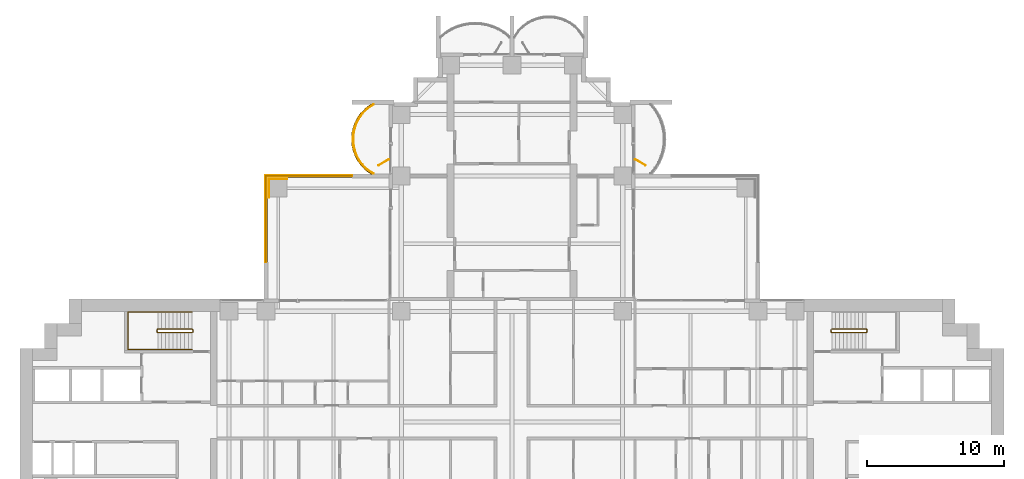
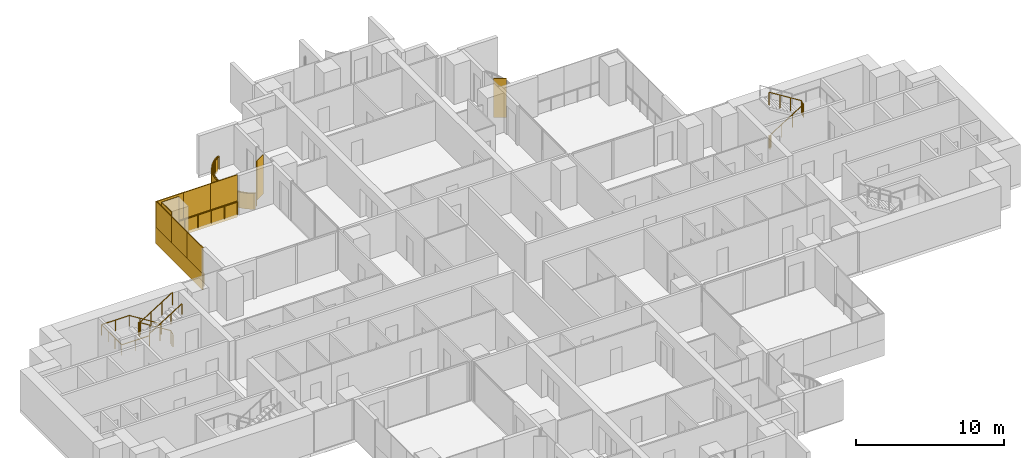
# One storey, part 19 of 21: 10 coverings, 5 railings, 2 shading devices.
"""IFC4 building model written with IfcOpenShell, lengths in metres."""

from ifc_helpers import new_model, si_unit, direction, frame, origin, origin_2d, place, context, subcontext, project, spatial, polyline, rectangle, outline, extrude, material, layer, layer_set, type_object, element, save


model = new_model("IFC4")

# Units and contexts
model_context = context("Model", 3, precision=1e-05, world=origin(), true_north=direction((0.0, 1.0)))
body_context = subcontext(model_context, "Body", "Model", "MODEL_VIEW")
ifc_project = project(units=[si_unit("LENGTHUNIT", "METRE"), si_unit("AREAUNIT", "SQUARE_METRE"), si_unit("VOLUMEUNIT", "CUBIC_METRE"), si_unit("PLANEANGLEUNIT", "RADIAN"), si_unit("MASSUNIT", "GRAM", prefix="KILO")], contexts=[model_context])

# Site, building, storey
site_placement = place(None, origin())
site = spatial("IfcSite", under=ifc_project, at=site_placement, CompositionType="ELEMENT")
building_placement = place(site_placement, origin())
building = spatial("IfcBuilding", under=site, at=building_placement, Name="Perihelion Cross Residences", CompositionType="ELEMENT")
storey_placement = place(building_placement, frame((0.0, 0.0, 54.0)))
storey = spatial("IfcBuildingStorey", under=building, at=storey_placement, Name="L10", CompositionType="ELEMENT", Elevation=54.0)

# Covering
ifc_material_1 = material(Name="Bronze anodised aluminium", Category="aluminium")
ifc_layer_1 = layer(ifc_material_1, 0.070068359375)
ifc_layer_set_1 = layer_set([ifc_layer_1], Name="Balcony fascia 1300")
covering_type_1 = type_object("IfcCoveringType", Name="Balcony fascia 1300", PredefinedType="CLADDING", material=ifc_layer_set_1)
covering_1_placement = place(storey_placement, frame((0.0, 0.0, -0.199951171875)))
element("IfcCovering", 1, at=covering_1_placement, inside=storey, type_object=covering_type_1, Name="Fascia BF1 L10 north side west bay 1", PredefinedType="CLADDING", context=body_context, shape_type="SweptSolid", body=[
    extrude(outline(polyline([(-10.722412109375, 22.963134765625), (-11.060791015625, 22.61474609375), (-11.308837890625, 22.2666015625), (-11.4912109375, 21.91845703125), (-11.620361328125, 21.5703125), (-11.703369140625, 21.22216796875), (-11.743896484375, 20.8740234375), (-11.743896484375, 20.52587890625), (-11.703369140625, 20.177734375), (-11.620361328125, 19.82958984375), (-11.4912109375, 19.4814453125), (-11.308837890625, 19.13330078125), (-11.060791015625, 18.78515625), (-10.722412109375, 18.43701171875), (-10.320556640625, 18.14990234375), (-10.199951171875, 18.14990234375), (-10.6767578125, 18.489990234375), (-11.007080078125, 18.830078125), (-11.2490234375, 19.169921875), (-11.42724609375, 19.510009765625), (-11.553466796875, 19.85009765625), (-11.63427734375, 20.18994140625), (-11.674072265625, 20.530029296875), (-11.674072265625, 20.8701171875), (-11.63427734375, 21.2099609375), (-11.553466796875, 21.550048828125), (-11.42724609375, 21.889892578125), (-11.2490234375, 22.22998046875), (-11.007080078125, 22.570068359375), (-10.6767578125, 22.909912109375), (-10.199951171875, 23.25), (-10.320556640625, 23.25), (-10.722412109375, 22.963134765625)])), origin(), (0.0, 0.0, 1.0), 1.300048828125),
])

# Railings
ifc_material_2 = material(Name="Bronze anodised aluminium", Category="aluminium")
railing_type_1 = type_object("IfcRailingType", Name="Balcony guard 1100", PredefinedType="GUARDRAIL", material=ifc_material_2)
railing_1_placement = place(storey_placement, frame((-10.139892578125, 23.22509765625, 0.0)))
element("IfcRailing", 2, at=railing_1_placement, inside=storey, type_object=railing_type_1, Name="Guard GU1 L10 north side west bay 1 balcony", PredefinedType="GUARDRAIL", context=body_context, shape_type="SweptSolid", body=[
    extrude(rectangle(XDim=0.048095703125, YDim=0.048095703125, at=origin_2d()), frame((0.0, 0.0, 1.076171875), z_axis=(-0.834212513801, -0.55144309028, 0.0), x_axis=(0.55144309028, -0.834212513801, 0.0)), (0.0, 0.0, 1.0), 0.571533203125),
    extrude(rectangle(XDim=0.048095703125, YDim=0.048095703125, at=origin_2d()), frame((-0.476806640625, -0.315185546875, 1.076171875), z_axis=(-0.696990112603, -0.717080736691, 0.0), x_axis=(0.717080736691, -0.696990112603, 0.0)), (0.0, 0.0, 1.0), 0.473876953125),
    extrude(rectangle(XDim=0.048095703125, YDim=0.048095703125, at=origin_2d()), frame((-0.80712890625, -0.655029296875, 1.076171875), z_axis=(-0.580075995532, -0.814562360662, 0.0), x_axis=(0.814562360662, -0.580075995532, 0.0)), (0.0, 0.0, 1.0), 0.41748046875),
    extrude(rectangle(XDim=0.048095703125, YDim=0.048095703125, at=origin_2d()), frame((-1.04931640625, -0.9951171875, 1.076171875), z_axis=(-0.463674228502, -0.886005761733, 0.0), x_axis=(0.886005761733, -0.463674228502, 0.0)), (0.0, 0.0, 1.0), 0.3837890625),
    extrude(rectangle(XDim=0.048095703125, YDim=0.048095703125, at=origin_2d()), frame((-1.227294921875, -1.335205078125, 1.076171875), z_axis=(-0.348169621027, -0.937431552165, 0.0), x_axis=(0.937431552165, -0.348169621027, 0.0)), (0.0, 0.0, 1.0), 0.362548828125),
    extrude(rectangle(XDim=0.048095703125, YDim=0.048095703125, at=origin_2d()), frame((-1.353515625, -1.675048828125, 1.076171875), z_axis=(-0.231840805498, -0.972753741142, 0.0), x_axis=(0.972753741142, -0.231840805498, 0.0)), (0.0, 0.0, 1.0), 0.349609375),
    extrude(rectangle(XDim=0.048095703125, YDim=0.048095703125, at=origin_2d()), frame((-1.4345703125, -2.01513671875, 1.076171875), z_axis=(-0.11559909788, -0.993295952156, 0.0), x_axis=(0.993295952156, -0.11559909788, 0.0)), (0.0, 0.0, 1.0), 0.342041015625),
    extrude(rectangle(XDim=0.048095703125, YDim=0.048095703125, at=origin_2d()), frame((-1.47412109375, -2.35498046875, 1.076171875), z_axis=(0.0, -1.0, 0.0), x_axis=(1.0, 0.0, 0.0)), (0.0, 0.0, 1.0), 0.340087890625),
    extrude(rectangle(XDim=0.048095703125, YDim=0.048095703125, at=origin_2d()), frame((-1.47412109375, -2.695068359375, 1.076171875), z_axis=(0.11551721994, -0.993305477634, 0.0), x_axis=(0.993305477634, 0.11551721994, 0.0)), (0.0, 0.0, 1.0), 0.34228515625),
    extrude(rectangle(XDim=0.048095703125, YDim=0.048095703125, at=origin_2d()), frame((-1.4345703125, -3.03515625, 1.076171875), z_axis=(0.231998396458, -0.972716168284, 0.0), x_axis=(0.972716168284, 0.231998396458, 0.0)), (0.0, 0.0, 1.0), 0.349365234375),
    extrude(rectangle(XDim=0.048095703125, YDim=0.048095703125, at=origin_2d()), frame((-1.353515625, -3.375, 1.076171875), z_axis=(0.347949948587, -0.93751311099, 0.0), x_axis=(0.93751311099, 0.347949948587, 0.0)), (0.0, 0.0, 1.0), 0.36279296875),
    extrude(rectangle(XDim=0.048095703125, YDim=0.048095703125, at=origin_2d()), frame((-1.227294921875, -3.715087890625, 1.076171875), z_axis=(0.463674228502, -0.886005761733, 0.0), x_axis=(0.886005761733, 0.463674228502, 0.0)), (0.0, 0.0, 1.0), 0.3837890625),
    extrude(rectangle(XDim=0.048095703125, YDim=0.048095703125, at=origin_2d()), frame((-1.04931640625, -4.05517578125, 1.076171875), z_axis=(0.580352394782, -0.814365457194, 0.0), x_axis=(0.814365457194, 0.580352394782, 0.0)), (0.0, 0.0, 1.0), 0.417236328125),
    extrude(rectangle(XDim=0.048095703125, YDim=0.048095703125, at=origin_2d()), frame((-0.80712890625, -4.39501953125, 1.076171875), z_axis=(0.69673269466, -0.717330852669, 0.0), x_axis=(0.717330852669, 0.69673269466, 0.0)), (0.0, 0.0, 1.0), 0.47412109375),
    extrude(rectangle(XDim=0.048095703125, YDim=0.048095703125, at=origin_2d()), frame((-0.476806640625, -4.735107421875, 1.076171875), z_axis=(0.834409002258, -0.551145731138, 0.0), x_axis=(0.551145731138, 0.834409002258, 0.0)), (0.0, 0.0, 1.0), 0.571533203125),
    extrude(rectangle(XDim=0.0419921875, YDim=0.0419921875, at=origin_2d()), origin(), (0.0, 0.0, 1.0), 1.052001953125),
    extrude(rectangle(XDim=0.0419921875, YDim=0.0419921875, at=origin_2d()), frame((-0.476806640625, -0.315185546875, 0.0)), (0.0, 0.0, 1.0), 1.052001953125),
    extrude(rectangle(XDim=0.0419921875, YDim=0.0419921875, at=origin_2d()), frame((-0.80712890625, -0.655029296875, 0.0)), (0.0, 0.0, 1.0), 1.052001953125),
    extrude(rectangle(XDim=0.0419921875, YDim=0.0419921875, at=origin_2d()), frame((-1.04931640625, -0.9951171875, 0.0)), (0.0, 0.0, 1.0), 1.052001953125),
    extrude(rectangle(XDim=0.0419921875, YDim=0.0419921875, at=origin_2d()), frame((-1.227294921875, -1.335205078125, 0.0)), (0.0, 0.0, 1.0), 1.052001953125),
    extrude(rectangle(XDim=0.0419921875, YDim=0.0419921875, at=origin_2d()), frame((-1.353515625, -1.675048828125, 0.0)), (0.0, 0.0, 1.0), 1.052001953125),
    extrude(rectangle(XDim=0.0419921875, YDim=0.0419921875, at=origin_2d()), frame((-1.4345703125, -2.01513671875, 0.0)), (0.0, 0.0, 1.0), 1.052001953125),
    extrude(rectangle(XDim=0.0419921875, YDim=0.0419921875, at=origin_2d()), frame((-1.47412109375, -2.35498046875, 0.0)), (0.0, 0.0, 1.0), 1.052001953125),
    extrude(rectangle(XDim=0.0419921875, YDim=0.0419921875, at=origin_2d()), frame((-1.47412109375, -2.695068359375, 0.0)), (0.0, 0.0, 1.0), 1.052001953125),
    extrude(rectangle(XDim=0.0419921875, YDim=0.0419921875, at=origin_2d()), frame((-1.4345703125, -3.03515625, 0.0)), (0.0, 0.0, 1.0), 1.052001953125),
    extrude(rectangle(XDim=0.0419921875, YDim=0.0419921875, at=origin_2d()), frame((-1.353515625, -3.375, 0.0)), (0.0, 0.0, 1.0), 1.052001953125),
    extrude(rectangle(XDim=0.0419921875, YDim=0.0419921875, at=origin_2d()), frame((-1.227294921875, -3.715087890625, 0.0)), (0.0, 0.0, 1.0), 1.052001953125),
    extrude(rectangle(XDim=0.0419921875, YDim=0.0419921875, at=origin_2d()), frame((-1.04931640625, -4.05517578125, 0.0)), (0.0, 0.0, 1.0), 1.052001953125),
    extrude(rectangle(XDim=0.0419921875, YDim=0.0419921875, at=origin_2d()), frame((-0.80712890625, -4.39501953125, 0.0)), (0.0, 0.0, 1.0), 1.052001953125),
    extrude(rectangle(XDim=0.0419921875, YDim=0.0419921875, at=origin_2d()), frame((-0.476806640625, -4.735107421875, 0.0)), (0.0, 0.0, 1.0), 1.052001953125),
    extrude(rectangle(XDim=0.0419921875, YDim=0.0419921875, at=origin_2d()), frame((0.0, -5.050048828125, 0.0)), (0.0, 0.0, 1.0), 1.052001953125),
])
railing_2_placement = place(storey_placement, frame((-17.93994140625, 11.739990234375, 0.0)))
element("IfcRailing", 3, at=railing_2_placement, inside=storey, type_object=railing_type_1, Name="Guard GU1 L10 pocket north-west 1", PredefinedType="GUARDRAIL", context=body_context, shape_type="SweptSolid", body=[
    extrude(rectangle(XDim=0.048095703125, YDim=0.048095703125, at=origin_2d()), frame((0.0, 0.0, 1.076171875), z_axis=(0.0, 1.0, 0.0), x_axis=(-1.0, 0.0, 0.0)), (0.0, 0.0, 1.0), 6.199951171875),
    extrude(rectangle(XDim=0.048095703125, YDim=0.048095703125, at=origin_2d()), frame((0.0, 6.199951171875, 1.076171875), z_axis=(1.0, 0.0, 0.0), x_axis=(0.0, 1.0, 0.0)), (0.0, 0.0, 1.0), 6.199951171875),
    extrude(rectangle(XDim=0.0419921875, YDim=0.0419921875, at=origin_2d()), origin(), (0.0, 0.0, 1.0), 1.052001953125),
    extrude(rectangle(XDim=0.0419921875, YDim=0.0419921875, at=origin_2d()), frame((0.0, 1.033203125, 0.0)), (0.0, 0.0, 1.0), 1.052001953125),
    extrude(rectangle(XDim=0.0419921875, YDim=0.0419921875, at=origin_2d()), frame((0.0, 2.066650390625, 0.0)), (0.0, 0.0, 1.0), 1.052001953125),
    extrude(rectangle(XDim=0.0419921875, YDim=0.0419921875, at=origin_2d()), frame((0.0, 3.10009765625, 0.0)), (0.0, 0.0, 1.0), 1.052001953125),
    extrude(rectangle(XDim=0.0419921875, YDim=0.0419921875, at=origin_2d()), frame((0.0, 4.13330078125, 0.0)), (0.0, 0.0, 1.0), 1.052001953125),
    extrude(rectangle(XDim=0.0419921875, YDim=0.0419921875, at=origin_2d()), frame((0.0, 5.16650390625, 0.0)), (0.0, 0.0, 1.0), 1.052001953125),
    extrude(rectangle(XDim=0.0419921875, YDim=0.0419921875, at=origin_2d()), frame((0.0, 6.199951171875, 0.0)), (0.0, 0.0, 1.0), 1.052001953125),
    extrude(rectangle(XDim=0.0419921875, YDim=0.0419921875, at=origin_2d()), frame((1.033203125, 6.199951171875, 0.0)), (0.0, 0.0, 1.0), 1.052001953125),
    extrude(rectangle(XDim=0.0419921875, YDim=0.0419921875, at=origin_2d()), frame((2.066650390625, 6.199951171875, 0.0)), (0.0, 0.0, 1.0), 1.052001953125),
    extrude(rectangle(XDim=0.0419921875, YDim=0.0419921875, at=origin_2d()), frame((3.10009765625, 6.199951171875, 0.0)), (0.0, 0.0, 1.0), 1.052001953125),
    extrude(rectangle(XDim=0.0419921875, YDim=0.0419921875, at=origin_2d()), frame((4.13330078125, 6.199951171875, 0.0)), (0.0, 0.0, 1.0), 1.052001953125),
    extrude(rectangle(XDim=0.0419921875, YDim=0.0419921875, at=origin_2d()), frame((5.16650390625, 6.199951171875, 0.0)), (0.0, 0.0, 1.0), 1.052001953125),
    extrude(rectangle(XDim=0.0419921875, YDim=0.0419921875, at=origin_2d()), frame((6.199951171875, 6.199951171875, 0.0)), (0.0, 0.0, 1.0), 1.052001953125),
])

# Coverings
ifc_material_3 = material(Name="Bronze anodised aluminium", Category="aluminium")
ifc_layer_2 = layer(ifc_material_3, 0.0400390625)
ifc_layer_set_2 = layer_set([ifc_layer_2], Name="Bronze column casing 40")
covering_type_2 = type_object("IfcCoveringType", Name="Bronze column casing 40", PredefinedType="CLADDING", material=ifc_layer_set_2)
covering_2_placement = place(storey_placement, frame((-17.77001953125, 17.10009765625, -0.25), z_axis=(0.0, 0.0, 1.0), x_axis=(1.0, 0.0, 0.0)))
element("IfcCovering", 4, at=covering_2_placement, inside=storey, type_object=covering_type_2, Name="Cladding CC1 L10 casing east-west no. 2", PredefinedType="CLADDING", context=body_context, shape_type="SweptSolid", body=[
    extrude(rectangle(XDim=0.0400390625, YDim=1.3798828125, at=origin_2d()), origin(), (0.0, 0.0, 1.0), 3.5),
])
covering_3_placement = place(storey_placement, frame((-17.10009765625, 17.77001953125, -0.25), z_axis=(0.0, 0.0, 1.0), x_axis=(1.0, 0.0, 0.0)))
element("IfcCovering", 5, at=covering_3_placement, inside=storey, type_object=covering_type_2, Name="Cladding CC1 L10 casing north-south no. 2", PredefinedType="CLADDING", context=body_context, shape_type="SweptSolid", body=[
    extrude(rectangle(XDim=1.300048828125, YDim=0.0400390625, at=origin_2d()), origin(), (0.0, 0.0, 1.0), 3.5),
])

# Shading devices
ifc_material_4 = material(Name="Bronze anodised aluminium", Category="aluminium")
ifc_layer_3 = layer(ifc_material_4, 0.050048828125)
ifc_layer_set_3 = layer_set([ifc_layer_3], Name="Bronze fin 900")
shading_device_type = type_object("IfcShadingDeviceType", Name="Bronze fin 900", PredefinedType="USERDEFINED", material=ifc_layer_set_3)
for number, where, z_axis, x_axis, name in (
    (6, (9.3896484375, 19.0, 0.0), (0.0, 0.0, 1.0), (0.866025403784, -0.5, 0.0), "Fin FN1 L10 north side east bay 2"),
    (7, (-9.3896484375, 19.0, 0.0), (0.0, 0.0, 1.0), (-0.866025403784, -0.5, 0.0), "Fin FN1 L10 north side west bay 1"),
):
    element("IfcShadingDevice", number, at=place(storey_placement, frame(where, z_axis=z_axis, x_axis=x_axis)), inside=storey, type_object=shading_device_type, Name=name, ObjectType="FIN", PredefinedType="USERDEFINED", context=body_context, shape_type="SweptSolid", body=[
        extrude(rectangle(XDim=0.89990234375, YDim=0.050048828125, at=origin_2d()), origin(), (0.0, 0.0, 1.0), 3.25),
    ])

# Coverings
ifc_material_5 = material(Name="Bronze anodised aluminium", Category="aluminium")
ifc_layer_4 = layer(ifc_material_5, 0.070068359375)
ifc_layer_set_4 = layer_set([ifc_layer_4], Name="Pocket fascia 1350")
covering_type_3 = type_object("IfcCoveringType", Name="Pocket fascia 1350", PredefinedType="CLADDING", material=ifc_layer_set_4)
covering_4_placement = place(storey_placement, frame((0.0, 0.0, -0.25)))
element("IfcCovering", 8, at=covering_4_placement, inside=storey, type_object=covering_type_3, Name="Fascia BF2 L10 pocket north-west 3", PredefinedType="CLADDING", context=body_context, shape_type="SweptSolid", body=[
    extrude(outline(polyline([(-18.070068359375, 18.070068359375), (-18.070068359375, 11.699951171875), (-18.0, 11.699951171875), (-18.0, 18.0), (-11.699951171875, 18.0), (-11.699951171875, 18.070068359375), (-18.070068359375, 18.070068359375)])), origin(), (0.0, 0.0, 1.0), 1.35009765625),
])
ifc_material_6 = material(Name="Bronze perforated aluminium", Category="aluminium")
ifc_layer_5 = layer(ifc_material_6, 0.070068359375)
ifc_layer_set_5 = layer_set([ifc_layer_5], Name="Pocket solar screen, bronze perforated")
covering_type_4 = type_object("IfcCoveringType", Name="Pocket solar screen, bronze perforated", PredefinedType="CLADDING", material=ifc_layer_set_5)
covering_5_placement = place(storey_placement, frame((0.0, 0.0, 1.10009765625)))
element("IfcCovering", 9, at=covering_5_placement, inside=storey, type_object=covering_type_4, Name="Solar screen PS1 L10 pocket north-west no. 1", PredefinedType="CLADDING", context=body_context, shape_type="SweptSolid", body=[
    extrude(outline(polyline([(-18.0, 11.699951171875), (-18.0, 13.800048828125), (-18.070068359375, 13.800048828125), (-18.070068359375, 11.699951171875), (-18.0, 11.699951171875)])), origin(), (0.0, 0.0, 1.0), 2.14990234375),
])
covering_6_placement = place(storey_placement, frame((0.0, 0.0, 1.10009765625)))
element("IfcCovering", 10, at=covering_6_placement, inside=storey, type_object=covering_type_4, Name="Solar screen PS1 L10 pocket north-west no. 2", PredefinedType="CLADDING", context=body_context, shape_type="SweptSolid", body=[
    extrude(outline(polyline([(-18.0, 13.800048828125), (-18.0, 15.89990234375), (-18.070068359375, 15.89990234375), (-18.070068359375, 13.800048828125), (-18.0, 13.800048828125)])), origin(), (0.0, 0.0, 1.0), 2.14990234375),
])
covering_7_placement = place(storey_placement, frame((0.0, 0.0, 1.10009765625)))
element("IfcCovering", 11, at=covering_7_placement, inside=storey, type_object=covering_type_4, Name="Solar screen PS1 L10 pocket north-west no. 3", PredefinedType="CLADDING", context=body_context, shape_type="SweptSolid", body=[
    extrude(outline(polyline([(-18.0, 15.89990234375), (-18.0, 18.0), (-18.070068359375, 18.0), (-18.070068359375, 15.89990234375), (-18.0, 15.89990234375)])), origin(), (0.0, 0.0, 1.0), 2.14990234375),
])
covering_8_placement = place(storey_placement, frame((0.0, 0.0, 1.10009765625)))
element("IfcCovering", 12, at=covering_8_placement, inside=storey, type_object=covering_type_4, Name="Solar screen PS1 L10 pocket north-west no. 4", PredefinedType="CLADDING", context=body_context, shape_type="SweptSolid", body=[
    extrude(outline(polyline([(-15.94677734375, 18.0), (-15.94677734375, 18.070068359375), (-18.070068359375, 18.070068359375), (-18.070068359375, 18.0), (-15.94677734375, 18.0)])), origin(), (0.0, 0.0, 1.0), 2.14990234375),
])
covering_9_placement = place(storey_placement, frame((0.0, 0.0, 1.10009765625)))
element("IfcCovering", 13, at=covering_9_placement, inside=storey, type_object=covering_type_4, Name="Solar screen PS1 L10 pocket north-west no. 5", PredefinedType="CLADDING", context=body_context, shape_type="SweptSolid", body=[
    extrude(outline(polyline([(-13.8232421875, 18.0), (-13.8232421875, 18.070068359375), (-15.94677734375, 18.070068359375), (-15.94677734375, 18.0), (-13.8232421875, 18.0)])), origin(), (0.0, 0.0, 1.0), 2.14990234375),
])
covering_10_placement = place(storey_placement, frame((0.0, 0.0, 1.10009765625)))
element("IfcCovering", 14, at=covering_10_placement, inside=storey, type_object=covering_type_4, Name="Solar screen PS1 L10 pocket north-west no. 6", PredefinedType="CLADDING", context=body_context, shape_type="SweptSolid", body=[
    extrude(outline(polyline([(-11.699951171875, 18.0), (-11.699951171875, 18.070068359375), (-13.8232421875, 18.070068359375), (-13.8232421875, 18.0), (-11.699951171875, 18.0)])), origin(), (0.0, 0.0, 1.0), 2.14990234375),
])

# Railings
ifc_material_7 = material(Name="Stainless steel", Category="steel")
railing_type_2 = type_object("IfcRailingType", Name="Stair guard 1100", PredefinedType="GUARDRAIL", material=ifc_material_7)
railing_3_placement = place(storey_placement, frame((23.35009765625, 6.75, 0.0)))
element("IfcRailing", 15, at=railing_3_placement, inside=storey, type_object=railing_type_2, Name="L10 ST-E1 stair guard 1", PredefinedType="GUARDRAIL", context=body_context, shape_type="SweptSolid", body=[
    extrude(rectangle(XDim=0.048095703125, YDim=0.048095703125, at=origin_2d()), frame((0.0, 0.0, 1.076171875), z_axis=(0.0, -1.0, 0.0), x_axis=(1.0, 0.0, 0.0)), (0.0, 0.0, 1.0), 0.14990234375),
    extrude(rectangle(XDim=0.048095703125, YDim=0.048095703125, at=origin_2d()), frame((0.0, -0.14990234375, 1.076171875), z_axis=(0.263862480399, -0.265155923931, 0.927399011991), x_axis=(0.708833529934, 0.705375805398, 0.0)), (0.0, 0.0, 1.0), 0.188720703125),
    extrude(rectangle(XDim=0.048095703125, YDim=0.048095703125, at=origin_2d()), frame((0.0498046875, -0.199951171875, 1.2509765625), z_axis=(0.848007534815, 0.0, 0.529984170421), x_axis=(0.0, 1.0, 0.0)), (0.0, 0.0, 1.0), 2.9716796875),
    extrude(rectangle(XDim=0.048095703125, YDim=0.048095703125, at=origin_2d()), frame((2.56982421875, -0.199951171875, 2.826171875), z_axis=(0.707106781187, 0.707106781187, 0.0), x_axis=(-0.707106781187, 0.707106781187, 0.0)), (0.0, 0.0, 1.0), 0.07080078125),
    extrude(rectangle(XDim=0.048095703125, YDim=0.048095703125, at=origin_2d()), frame((2.619873046875, -0.14990234375, 2.826171875), z_axis=(0.0, 1.0, 0.0), x_axis=(-1.0, 0.0, 0.0)), (0.0, 0.0, 1.0), 0.14990234375),
    extrude(rectangle(XDim=0.048095703125, YDim=0.048095703125, at=origin_2d()), frame((2.619873046875, 0.0, 2.826171875), z_axis=(-0.265065253269, 0.265065253269, 0.927081885822), x_axis=(-0.707106781187, -0.707106781187, 0.0)), (0.0, 0.0, 1.0), 0.188720703125),
    extrude(rectangle(XDim=0.048095703125, YDim=0.048095703125, at=origin_2d()), frame((2.56982421875, 0.050048828125, 3.0009765625), z_axis=(-0.848007534815, 0.0, 0.529984170421), x_axis=(0.0, -1.0, 0.0)), (0.0, 0.0, 1.0), 2.9716796875),
    extrude(rectangle(XDim=0.0419921875, YDim=0.0419921875, at=origin_2d()), origin(), (0.0, 0.0, 1.0), 1.052001953125),
    extrude(rectangle(XDim=0.0419921875, YDim=0.0419921875, at=origin_2d()), frame((0.0, -0.14990234375, 0.0)), (0.0, 0.0, 1.0), 1.052001953125),
    extrude(rectangle(XDim=0.0419921875, YDim=0.0419921875, at=origin_2d()), frame((0.0498046875, -0.199951171875, 0.175048828125)), (0.0, 0.0, 1.0), 1.052001953125),
    extrude(rectangle(XDim=0.0419921875, YDim=0.0419921875, at=origin_2d()), frame((0.889892578125, -0.199951171875, 0.699951171875)), (0.0, 0.0, 1.0), 1.052001953125),
    extrude(rectangle(XDim=0.0419921875, YDim=0.0419921875, at=origin_2d()), frame((1.729736328125, -0.199951171875, 1.22509765625)), (0.0, 0.0, 1.0), 1.052001953125),
    extrude(rectangle(XDim=0.0419921875, YDim=0.0419921875, at=origin_2d()), frame((2.56982421875, -0.199951171875, 1.75)), (0.0, 0.0, 1.0), 1.052001953125),
    extrude(rectangle(XDim=0.0419921875, YDim=0.0419921875, at=origin_2d()), frame((2.619873046875, -0.14990234375, 1.75)), (0.0, 0.0, 1.0), 1.052001953125),
    extrude(rectangle(XDim=0.0419921875, YDim=0.0419921875, at=origin_2d()), frame((2.619873046875, 0.0, 1.75)), (0.0, 0.0, 1.0), 1.052001953125),
    extrude(rectangle(XDim=0.0419921875, YDim=0.0419921875, at=origin_2d()), frame((2.56982421875, 0.050048828125, 1.925048828125)), (0.0, 0.0, 1.0), 1.052001953125),
    extrude(rectangle(XDim=0.0419921875, YDim=0.0419921875, at=origin_2d()), frame((1.729736328125, 0.050048828125, 2.449951171875)), (0.0, 0.0, 1.0), 1.052001953125),
    extrude(rectangle(XDim=0.0419921875, YDim=0.0419921875, at=origin_2d()), frame((0.889892578125, 0.050048828125, 2.97509765625)), (0.0, 0.0, 1.0), 1.052001953125),
    extrude(rectangle(XDim=0.0419921875, YDim=0.0419921875, at=origin_2d()), frame((0.0498046875, 0.050048828125, 3.5)), (0.0, 0.0, 1.0), 1.052001953125),
])
railing_4_placement = place(storey_placement, frame((-23.35009765625, 6.60009765625, 0.0)))
element("IfcRailing", 16, at=railing_4_placement, inside=storey, type_object=railing_type_2, Name="L10 ST-W1 stair guard 1", PredefinedType="GUARDRAIL", context=body_context, shape_type="SweptSolid", body=[
    extrude(rectangle(XDim=0.048095703125, YDim=0.048095703125, at=origin_2d()), frame((0.0, 0.0, 1.076171875), z_axis=(0.0, 1.0, 0.0), x_axis=(-1.0, 0.0, 0.0)), (0.0, 0.0, 1.0), 0.14990234375),
    extrude(rectangle(XDim=0.048095703125, YDim=0.048095703125, at=origin_2d()), frame((0.0, 0.14990234375, 1.076171875), z_axis=(-0.263862480399, 0.265155923931, 0.927399011991), x_axis=(-0.708833529934, -0.705375805398, 0.0)), (0.0, 0.0, 1.0), 0.188720703125),
    extrude(rectangle(XDim=0.048095703125, YDim=0.048095703125, at=origin_2d()), frame((-0.0498046875, 0.199951171875, 1.2509765625), z_axis=(-0.848007534815, 0.0, 0.529984170421), x_axis=(0.0, -1.0, 0.0)), (0.0, 0.0, 1.0), 2.9716796875),
    extrude(rectangle(XDim=0.048095703125, YDim=0.048095703125, at=origin_2d()), frame((-2.56982421875, 0.199951171875, 2.826171875), z_axis=(-0.707106781187, -0.707106781187, 0.0), x_axis=(0.707106781187, -0.707106781187, 0.0)), (0.0, 0.0, 1.0), 0.07080078125),
    extrude(rectangle(XDim=0.048095703125, YDim=0.048095703125, at=origin_2d()), frame((-2.619873046875, 0.14990234375, 2.826171875), z_axis=(0.0, -1.0, 0.0), x_axis=(1.0, 0.0, 0.0)), (0.0, 0.0, 1.0), 0.14990234375),
    extrude(rectangle(XDim=0.048095703125, YDim=0.048095703125, at=origin_2d()), frame((-2.619873046875, 0.0, 2.826171875), z_axis=(0.265065253269, -0.265065253269, 0.927081885822), x_axis=(0.707106781187, 0.707106781187, 0.0)), (0.0, 0.0, 1.0), 0.188720703125),
    extrude(rectangle(XDim=0.048095703125, YDim=0.048095703125, at=origin_2d()), frame((-2.56982421875, -0.050048828125, 3.0009765625), z_axis=(0.848007534815, 0.0, 0.529984170421), x_axis=(0.0, 1.0, 0.0)), (0.0, 0.0, 1.0), 2.9716796875),
    extrude(rectangle(XDim=0.0419921875, YDim=0.0419921875, at=origin_2d()), origin(), (0.0, 0.0, 1.0), 1.052001953125),
    extrude(rectangle(XDim=0.0419921875, YDim=0.0419921875, at=origin_2d()), frame((0.0, 0.14990234375, 0.0)), (0.0, 0.0, 1.0), 1.052001953125),
    extrude(rectangle(XDim=0.0419921875, YDim=0.0419921875, at=origin_2d()), frame((-0.0498046875, 0.199951171875, 0.175048828125)), (0.0, 0.0, 1.0), 1.052001953125),
    extrude(rectangle(XDim=0.0419921875, YDim=0.0419921875, at=origin_2d()), frame((-0.889892578125, 0.199951171875, 0.699951171875)), (0.0, 0.0, 1.0), 1.052001953125),
    extrude(rectangle(XDim=0.0419921875, YDim=0.0419921875, at=origin_2d()), frame((-1.729736328125, 0.199951171875, 1.22509765625)), (0.0, 0.0, 1.0), 1.052001953125),
    extrude(rectangle(XDim=0.0419921875, YDim=0.0419921875, at=origin_2d()), frame((-2.56982421875, 0.199951171875, 1.75)), (0.0, 0.0, 1.0), 1.052001953125),
    extrude(rectangle(XDim=0.0419921875, YDim=0.0419921875, at=origin_2d()), frame((-2.619873046875, 0.14990234375, 1.75)), (0.0, 0.0, 1.0), 1.052001953125),
    extrude(rectangle(XDim=0.0419921875, YDim=0.0419921875, at=origin_2d()), frame((-2.619873046875, 0.0, 1.75)), (0.0, 0.0, 1.0), 1.052001953125),
    extrude(rectangle(XDim=0.0419921875, YDim=0.0419921875, at=origin_2d()), frame((-2.56982421875, -0.050048828125, 1.925048828125)), (0.0, 0.0, 1.0), 1.052001953125),
    extrude(rectangle(XDim=0.0419921875, YDim=0.0419921875, at=origin_2d()), frame((-1.729736328125, -0.050048828125, 2.449951171875)), (0.0, 0.0, 1.0), 1.052001953125),
    extrude(rectangle(XDim=0.0419921875, YDim=0.0419921875, at=origin_2d()), frame((-0.889892578125, -0.050048828125, 2.97509765625)), (0.0, 0.0, 1.0), 1.052001953125),
    extrude(rectangle(XDim=0.0419921875, YDim=0.0419921875, at=origin_2d()), frame((-0.0498046875, -0.050048828125, 3.5)), (0.0, 0.0, 1.0), 1.052001953125),
])
ifc_material_8 = material(Name="Stainless steel", Category="steel")
railing_type_3 = type_object("IfcRailingType", Name="Stair handrail 900", PredefinedType="HANDRAIL", material=ifc_material_8)
railing_5_placement = place(storey_placement, frame((-23.39990234375, 8.050048828125, 0.175048828125)))
element("IfcRailing", 17, at=railing_5_placement, inside=storey, type_object=railing_type_3, Name="L10 ST-W1 stair handrail 1", PredefinedType="HANDRAIL", context=body_context, shape_type="SweptSolid", body=[
    extrude(rectangle(XDim=0.048095703125, YDim=0.048095703125, at=origin_2d()), frame((0.0, 0.0, 0.8759765625), z_axis=(-0.848007534815, 0.0, 0.529984170421), x_axis=(0.0, -1.0, 0.0)), (0.0, 0.0, 1.0), 2.9716796875),
    extrude(rectangle(XDim=0.048095703125, YDim=0.048095703125, at=origin_2d()), frame((-2.52001953125, 0.0, 2.45068359375), z_axis=(-1.0, 0.0, 0.0), x_axis=(0.0, -1.0, 0.0)), (0.0, 0.0, 1.0), 2.18017578125),
    extrude(rectangle(XDim=0.048095703125, YDim=0.048095703125, at=origin_2d()), frame((-4.7001953125, 0.0, 2.45068359375), z_axis=(0.0, -1.0, 0.0), x_axis=(1.0, 0.0, 0.0)), (0.0, 0.0, 1.0), 2.75),
    extrude(rectangle(XDim=0.048095703125, YDim=0.048095703125, at=origin_2d()), frame((-4.7001953125, -2.75, 2.45068359375), z_axis=(1.0, 0.0, 0.0), x_axis=(0.0, 1.0, 0.0)), (0.0, 0.0, 1.0), 2.18017578125),
    extrude(rectangle(XDim=0.048095703125, YDim=0.048095703125, at=origin_2d()), frame((-2.52001953125, -2.75, 2.45068359375), z_axis=(0.0, 0.0, 1.0), x_axis=(1.0, 0.0, 0.0)), (0.0, 0.0, 1.0), 0.175048828125),
    extrude(rectangle(XDim=0.048095703125, YDim=0.048095703125, at=origin_2d()), frame((-2.52001953125, -2.75, 2.6259765625), z_axis=(0.848007534815, 0.0, 0.529984170421), x_axis=(0.0, 1.0, 0.0)), (0.0, 0.0, 1.0), 2.9716796875),
    extrude(rectangle(XDim=0.0419921875, YDim=0.0419921875, at=origin_2d()), origin(), (0.0, 0.0, 1.0), 0.851806640625),
    extrude(rectangle(XDim=0.0419921875, YDim=0.0419921875, at=origin_2d()), frame((-0.840087890625, 0.0, 0.52490234375)), (0.0, 0.0, 1.0), 0.851806640625),
    extrude(rectangle(XDim=0.0419921875, YDim=0.0419921875, at=origin_2d()), frame((-1.679931640625, 0.0, 1.050048828125)), (0.0, 0.0, 1.0), 0.851806640625),
    extrude(rectangle(XDim=0.0419921875, YDim=0.0419921875, at=origin_2d()), frame((-2.52001953125, 0.0, 1.574951171875)), (0.0, 0.0, 1.0), 0.851806640625),
    extrude(rectangle(XDim=0.0419921875, YDim=0.0419921875, at=origin_2d()), frame((-3.610107421875, 0.0, 1.574951171875)), (0.0, 0.0, 1.0), 0.851806640625),
    extrude(rectangle(XDim=0.0419921875, YDim=0.0419921875, at=origin_2d()), frame((-4.7001953125, 0.0, 1.574951171875)), (0.0, 0.0, 1.0), 0.851806640625),
    extrude(rectangle(XDim=0.0419921875, YDim=0.0419921875, at=origin_2d()), frame((-4.7001953125, -0.916748046875, 1.574951171875)), (0.0, 0.0, 1.0), 0.851806640625),
    extrude(rectangle(XDim=0.0419921875, YDim=0.0419921875, at=origin_2d()), frame((-4.7001953125, -1.833251953125, 1.574951171875)), (0.0, 0.0, 1.0), 0.851806640625),
    extrude(rectangle(XDim=0.0419921875, YDim=0.0419921875, at=origin_2d()), frame((-4.7001953125, -2.75, 1.574951171875)), (0.0, 0.0, 1.0), 0.851806640625),
    extrude(rectangle(XDim=0.0419921875, YDim=0.0419921875, at=origin_2d()), frame((-3.610107421875, -2.75, 1.574951171875)), (0.0, 0.0, 1.0), 0.851806640625),
    extrude(rectangle(XDim=0.0419921875, YDim=0.0419921875, at=origin_2d()), frame((-2.52001953125, -2.75, 1.574951171875)), (0.0, 0.0, 1.0), 0.851806640625),
    extrude(rectangle(XDim=0.0419921875, YDim=0.0419921875, at=origin_2d()), frame((-2.52001953125, -2.75, 1.75)), (0.0, 0.0, 1.0), 0.851806640625),
    extrude(rectangle(XDim=0.0419921875, YDim=0.0419921875, at=origin_2d()), frame((-1.679931640625, -2.75, 2.27490234375)), (0.0, 0.0, 1.0), 0.851806640625),
    extrude(rectangle(XDim=0.0419921875, YDim=0.0419921875, at=origin_2d()), frame((-0.840087890625, -2.75, 2.800048828125)), (0.0, 0.0, 1.0), 0.851806640625),
    extrude(rectangle(XDim=0.0419921875, YDim=0.0419921875, at=origin_2d()), frame((0.0, -2.75, 3.324951171875)), (0.0, 0.0, 1.0), 0.851806640625),
])

save(model, "model.ifc")
